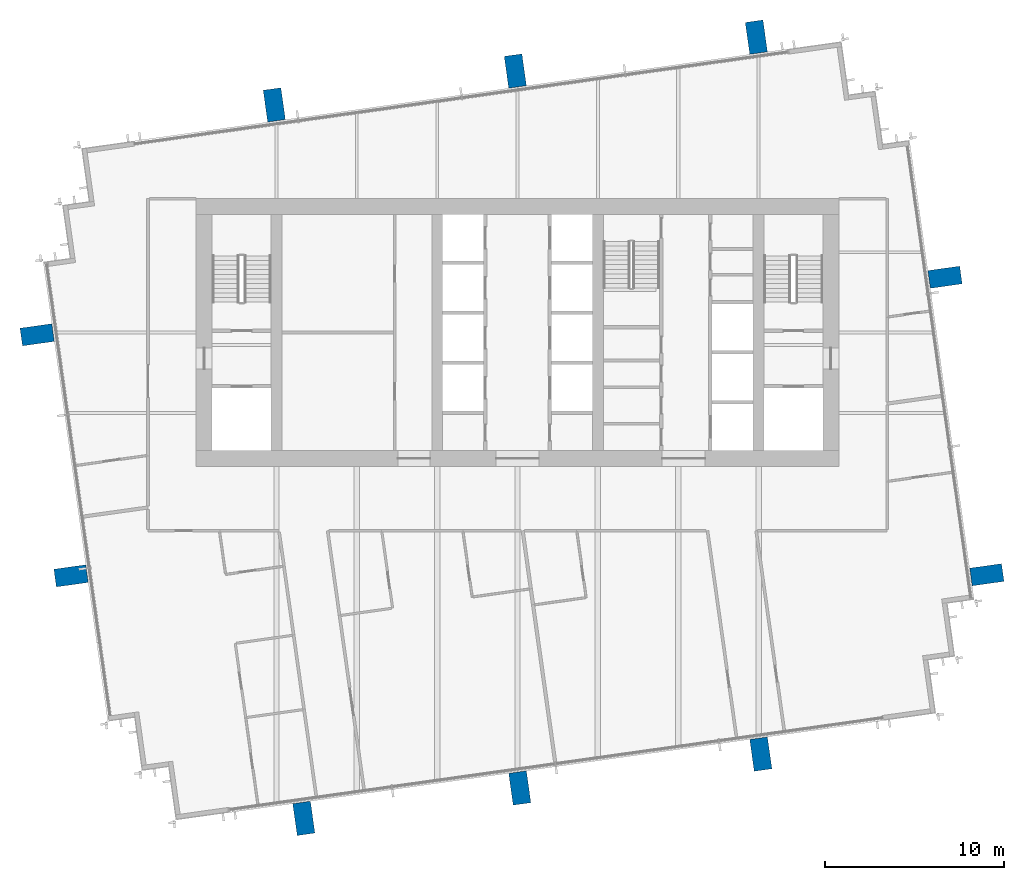
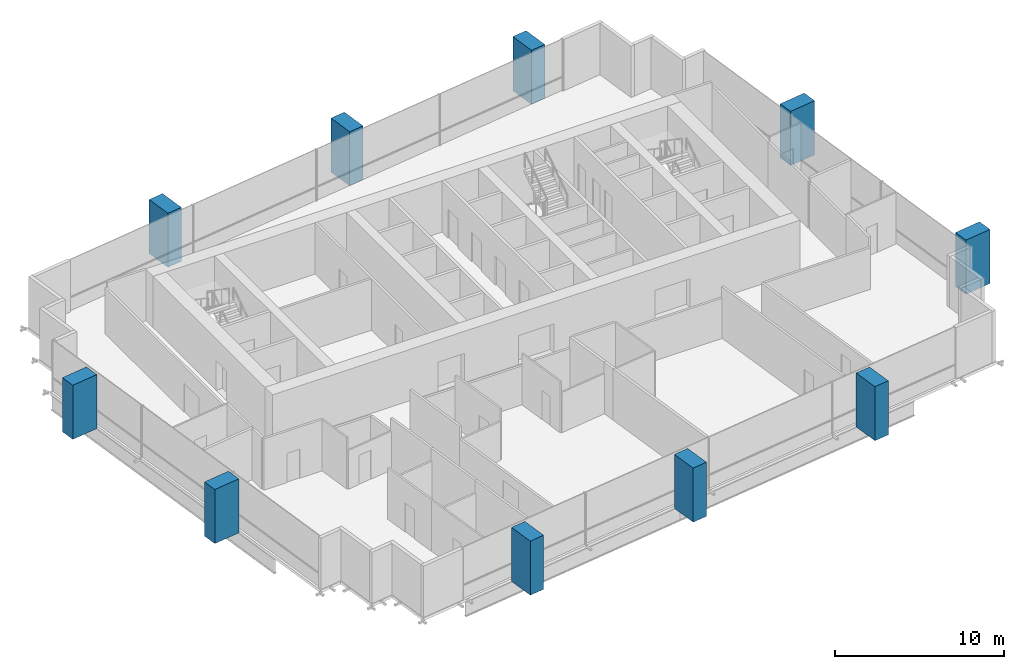
# One storey, part 1 of 12: 10 columns.
"""IFC4 building model written with IfcOpenShell, lengths in metres."""

from ifc_helpers import new_model, si_unit, direction, frame, origin, origin_2d, place, context, subcontext, project, spatial, rectangle, extrude, material, material_profile, profile_set, type_object, element, save


model = new_model("IFC4")

# Units and contexts
model_context = context("Model", 3, precision=1e-05, world=origin(), true_north=direction((0.0, 1.0)))
body_context = subcontext(model_context, "Body", "Model", "MODEL_VIEW")
ifc_project = project(units=[si_unit("LENGTHUNIT", "METRE"), si_unit("AREAUNIT", "SQUARE_METRE"), si_unit("VOLUMEUNIT", "CUBIC_METRE"), si_unit("PLANEANGLEUNIT", "RADIAN"), si_unit("MASSUNIT", "GRAM", prefix="KILO")], contexts=[model_context])

# Site, building, storey
site_placement = place(None, origin())
site = spatial("IfcSite", under=ifc_project, at=site_placement, CompositionType="ELEMENT")
building_placement = place(site_placement, origin())
building = spatial("IfcBuilding", under=site, at=building_placement, Name="Rattan Terrace Tower", CompositionType="ELEMENT")
storey_placement = place(building_placement, frame((0.0, 0.0, 270.699951171875)))
storey = spatial("IfcBuildingStorey", under=building, at=storey_placement, Name="L62", CompositionType="ELEMENT", Elevation=270.699951171875)

# Columns
ifc_material = material(Name="Concrete C40/50", Category="concrete")
ifc_material_profile = material_profile(ifc_material, rectangle(XDim=1.0, YDim=1.800048828125, at=origin_2d()), Name="CFT 1800x1000")
ifc_profile_set = profile_set([ifc_material_profile], Name="Concrete C40/50")
column_type = type_object("IfcColumnType", Name="Frame exoskeleton column CFT 1800x1000", PredefinedType="COLUMN", material=ifc_profile_set)
for number, where, z_axis, x_axis, name in (
    (1, (-11.970947265625, -27.208984375, -0.199951171875), (0.0, 0.0, 1.0), (0.990265639562, 0.139190384377, 0.0), "exo-L62-001"),
    (2, (0.125, -25.508056640625, -0.199951171875), (0.0, 0.0, 1.0), (0.990265639562, 0.139190384377, 0.0), "exo-L62-002"),
    (3, (13.625, -23.610107421875, -0.199951171875), (0.0, 0.0, 1.0), (0.990265639562, 0.139190384377, 0.0), "exo-L62-003"),
    (4, (-25.007080078125, -13.625, -0.199951171875), (0.0, 0.0, 1.0), (-0.139190384377, 0.990265639562, 0.0), "exo-L62-004"),
    (5, (26.283935546875, -13.56494140625, -0.199951171875), (0.0, 0.0, 1.0), (-0.139190384377, 0.990265639562, 0.0), "exo-L62-005"),
    (6, (-26.906005859375, -0.125, -0.199951171875), (0.0, 0.0, 1.0), (-0.139190384377, 0.990265639562, 0.0), "exo-L62-006"),
    (7, (23.94091796875, 3.10009765625, -0.199951171875), (0.0, 0.0, 1.0), (-0.139190384377, 0.990265639562, 0.0), "exo-L62-007"),
    (8, (-13.625, 12.7509765625, -0.199951171875), (0.0, 0.0, 1.0), (0.990265639562, 0.139190384377, 0.0), "exo-L62-008"),
    (9, (-0.125, 14.64794921875, -0.199951171875), (0.0, 0.0, 1.0), (0.990265639562, 0.139190384377, 0.0), "exo-L62-009"),
    (10, (13.375, 16.5458984375, -0.199951171875), (0.0, 0.0, 1.0), (0.990265639562, 0.139190384377, 0.0), "exo-L62-010"),
):
    element("IfcColumn", number, at=place(storey_placement, frame(where, z_axis=z_axis, x_axis=x_axis)), inside=storey, type_object=column_type, Name=name, PredefinedType="COLUMN", context=body_context, shape_type="SweptSolid", body=[
        extrude(rectangle(XDim=1.0, YDim=1.800048828125, at=origin_2d()), origin(), (0.0, 0.0, 1.0), 3.89990234375),
    ])

save(model, "model.ifc")
